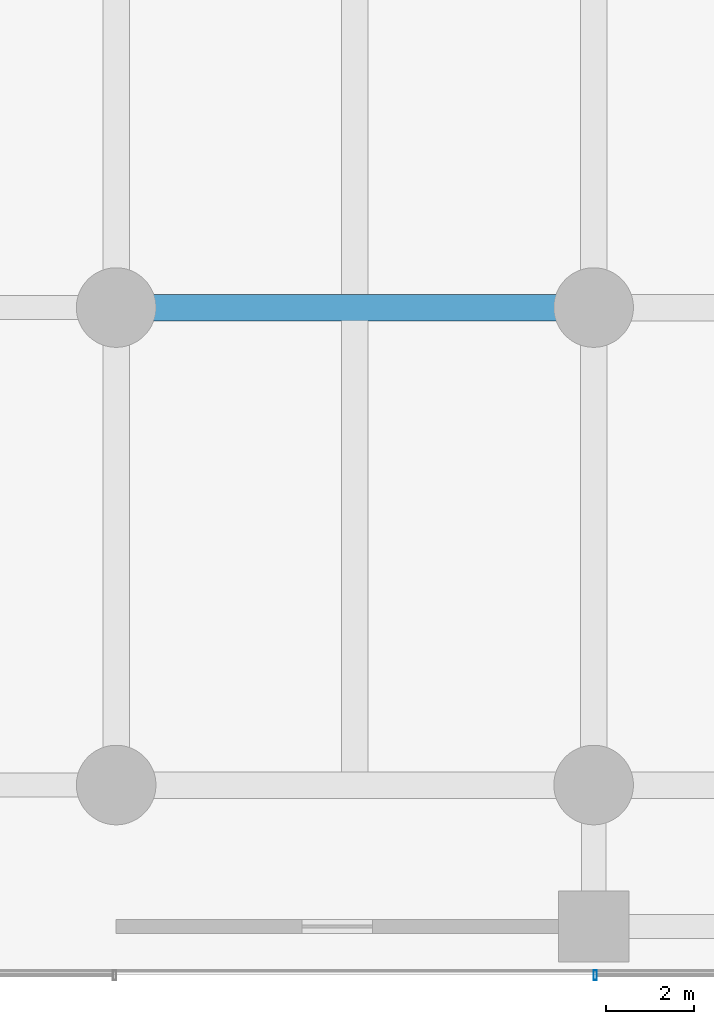
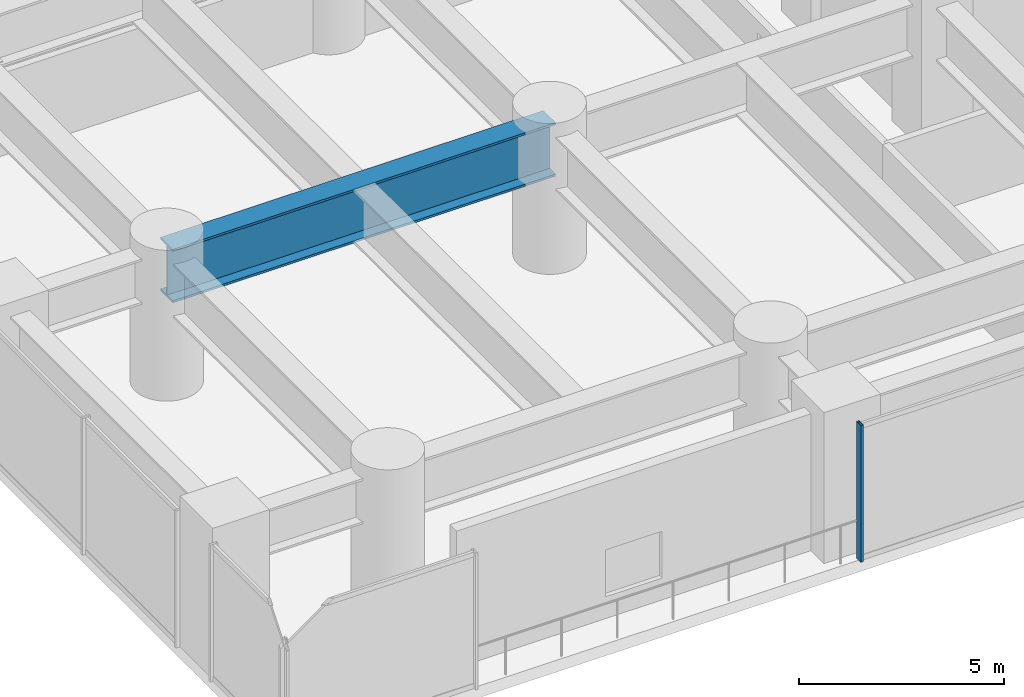
# One storey, part 4 of 37: 1 beam, 1 member, 1 element without a shape of its own.
"""IFC4 building model written with IfcOpenShell, lengths in metres."""

from ifc_helpers import new_model, si_unit, direction, frame, origin, origin_2d, place, context, subcontext, project, spatial, hollow_rectangle, i_section, extrude, material, layer, layer_set, material_profile, profile_set, type_object, element, aggregate, save


model = new_model("IFC4")

# Units and contexts
model_context = context("Model", 3, precision=1e-05, world=origin(), true_north=direction((0.0, 1.0)))
body_context = subcontext(model_context, "Body", "Model", "MODEL_VIEW")
ifc_project = project(units=[si_unit("LENGTHUNIT", "METRE"), si_unit("AREAUNIT", "SQUARE_METRE"), si_unit("VOLUMEUNIT", "CUBIC_METRE"), si_unit("PLANEANGLEUNIT", "RADIAN"), si_unit("MASSUNIT", "GRAM", prefix="KILO")], contexts=[model_context])

# Site, building, storey
site_placement = place(None, origin())
site = spatial("IfcSite", under=ifc_project, at=site_placement, CompositionType="ELEMENT")
building_placement = place(site_placement, origin())
building = spatial("IfcBuilding", under=site, at=building_placement, Name="Surkhivell Harbour Commons", CompositionType="ELEMENT")
storey_placement = place(building_placement, frame((0.0, 0.0, 18.0)))
storey = spatial("IfcBuildingStorey", under=building, at=storey_placement, Name="L04", CompositionType="ELEMENT", Elevation=18.0)

# Beam
ifc_material_1 = material(Name="Steel S460", Category="steel")
ifc_material_profile_1 = material_profile(ifc_material_1, i_section(OverallWidth=0.60009765625, OverallDepth=1.60009765625, WebThickness=0.035888671875, FlangeThickness=0.06494140625, at=origin_2d()), Name="WPG1600x600x296")
ifc_profile_set_1 = profile_set([ifc_material_profile_1], Name="Steel S460")
beam_type = type_object("IfcBeamType", Name="BM-TRF-1600", PredefinedType="BEAM", material=ifc_profile_set_1)
beam_placement = place(storey_placement, frame((-32.39990234375, -10.800048828125, 3.280029296875), z_axis=(1.0, 0.0, 0.0), x_axis=(0.0, 1.0, 0.0)))
element("IfcBeam", 1, at=beam_placement, inside=storey, type_object=beam_type, Name="L04 Transfer Girder (-32.4,-10.8)", PredefinedType="BEAM", context=body_context, shape_type="SweptSolid", body=[
    extrude(i_section(OverallWidth=0.60009765625, OverallDepth=1.60009765625, WebThickness=0.035888671875, FlangeThickness=0.06494140625, at=origin_2d()), origin(), (0.0, 0.0, 1.0), 10.7998046875),
])

# Curtain wall, member
ifc_material_2 = material(Name="Anodised pale-metal aluminium and insulated glazing", Category="aluminium")
ifc_layer = layer(ifc_material_2, 0.239990234375)
ifc_layer_set = layer_set([ifc_layer], Name="Anodised pale-metal aluminium and insulated glazing")
curtain_wall_type = type_object("IfcCurtainWallType", Name="CW-SYS-POD", PredefinedType="NOTDEFINED", material=ifc_layer_set)
curtain_wall_placement = place(storey_placement, origin())
curtain_wall = element("IfcCurtainWall", 2, at=curtain_wall_placement, inside=storey, type_object=curtain_wall_type, Name="L04 Curtain Wall CW-L04-S3", PredefinedType="NOTDEFINED")
ifc_material_3 = material(Name="Anodised pale-metal aluminium alloy 6063-T6", Category="aluminium")
ifc_material_profile_2 = material_profile(ifc_material_3, hollow_rectangle(XDim=0.074951171875, YDim=0.219970703125, WallThickness=0.00390625, at=origin_2d()), Name="ALU-MULL-75x220")
ifc_profile_set_2 = profile_set([ifc_material_profile_2], Name="Anodised pale-metal aluminium alloy 6063-T6")
member_type = type_object("IfcMemberType", Name="CWM-220", PredefinedType="MULLION", material=ifc_profile_set_2)
member_placement = place(storey_placement, frame((-21.5625, -25.89990234375, 0.0), z_axis=(0.0, 0.0, 1.0), x_axis=(-1.0, 0.0, 0.0)))
member = element("IfcMember", 3, at=member_placement, type_object=member_type, Name="CW-POD mullion 3", PredefinedType="MULLION", context=body_context, shape_type="SweptSolid", body=[
    extrude(hollow_rectangle(XDim=0.074951171875, YDim=0.219970703125, WallThickness=0.00390625, at=origin_2d()), origin(), (0.0, 0.0, 1.0), 4.080078125),
])
aggregate(curtain_wall, [member])

save(model, "model.ifc")
